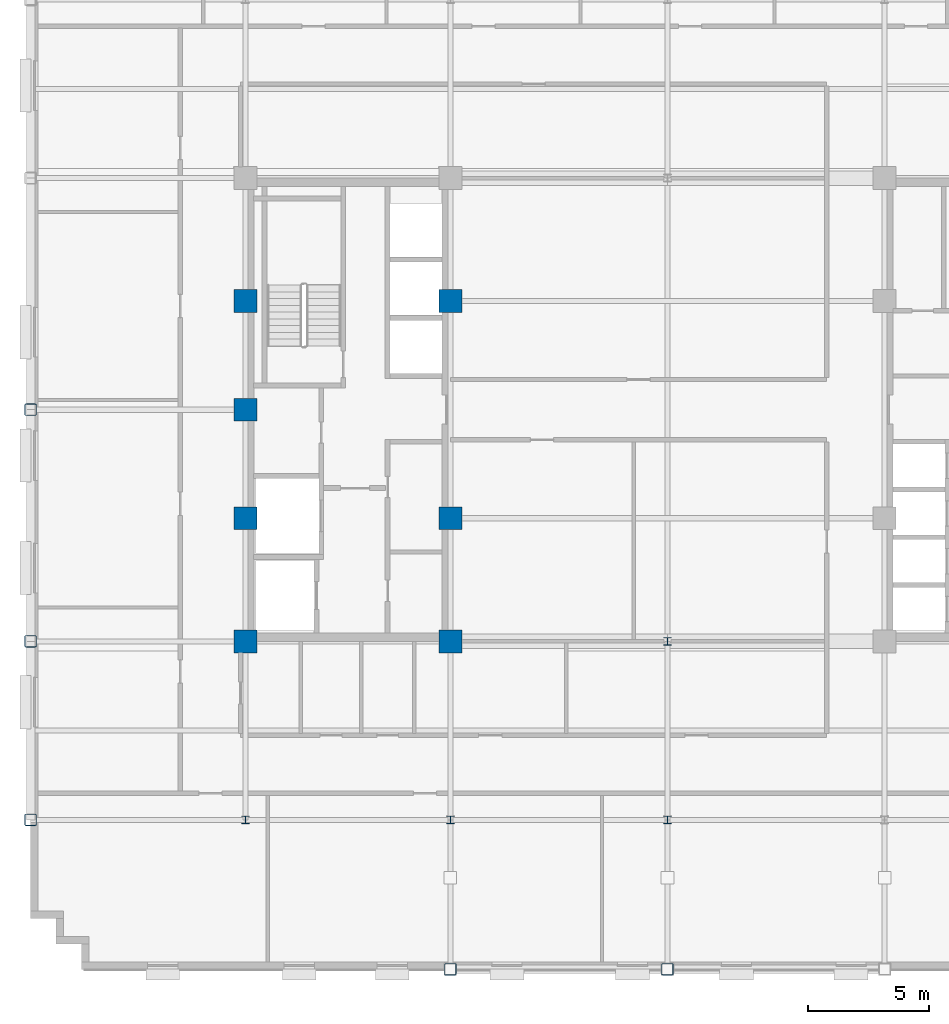
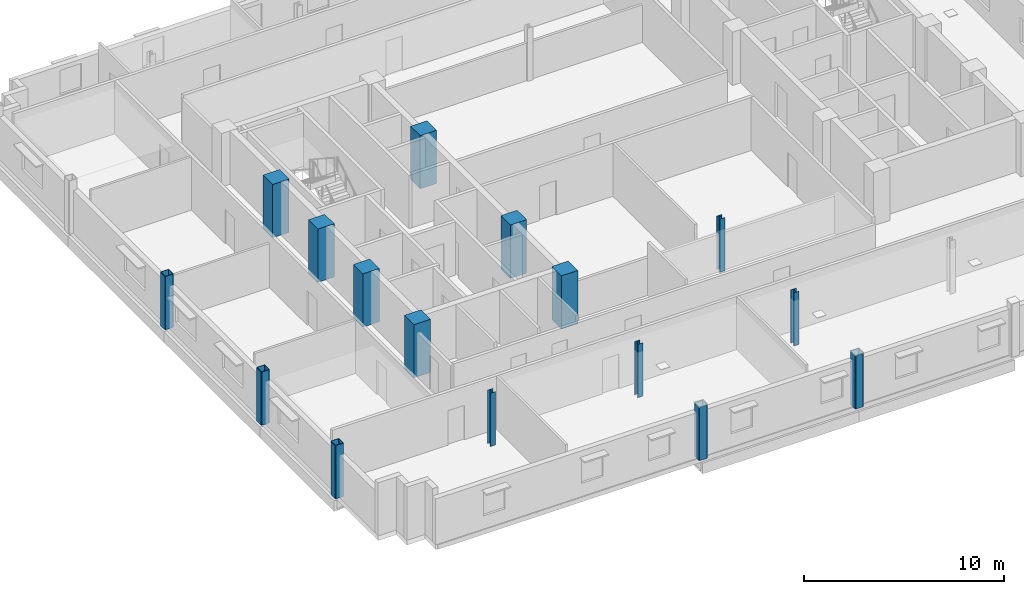
# One storey, part 1 of 15: 16 columns.
"""IFC4 building model written with IfcOpenShell, lengths in metres."""

from ifc_helpers import new_model, si_unit, direction, frame, origin, origin_2d, place, context, subcontext, project, spatial, rectangle, hollow_rectangle, i_section, extrude, material, material_profile, profile_set, type_object, element, save


model = new_model("IFC4")

# Units and contexts
model_context = context("Model", 3, precision=1e-05, world=origin(), true_north=direction((0.0, 1.0)))
body_context = subcontext(model_context, "Body", "Model", "MODEL_VIEW")
ifc_project = project(units=[si_unit("LENGTHUNIT", "METRE"), si_unit("AREAUNIT", "SQUARE_METRE"), si_unit("VOLUMEUNIT", "CUBIC_METRE"), si_unit("PLANEANGLEUNIT", "RADIAN"), si_unit("MASSUNIT", "GRAM", prefix="KILO")], contexts=[model_context])

# Site, building, storey
site_placement = place(None, origin())
site = spatial("IfcSite", under=ifc_project, at=site_placement, CompositionType="ELEMENT")
building_placement = place(site_placement, origin())
building = spatial("IfcBuilding", under=site, at=building_placement, Name="Nuvemarco Arch Tower", CompositionType="ELEMENT")
storey_placement = place(building_placement, frame((0.0, 0.0, 205.5)))
storey = spatial("IfcBuildingStorey", under=building, at=storey_placement, Name="L54", CompositionType="ELEMENT", Elevation=205.5)

# Columns
ifc_material_1 = material(Name="Concrete C50/60", Category="concrete")
ifc_material_profile_1 = material_profile(ifc_material_1, rectangle(XDim=0.949951171875, YDim=0.949951171875, at=origin_2d()), Name="RC-COL-950x950")
ifc_profile_set_1 = profile_set([ifc_material_profile_1], Name="Concrete C50/60")
column_type_1 = type_object("IfcColumnType", Name="COL-CORE-950", PredefinedType="COLUMN", material=ifc_profile_set_1)
for number, where, z_axis, x_axis, name in (
    (1, (-17.5, -9.60009765625, 0.0), (0.0, 0.0, 1.0), (1.0, 0.0, 0.0), "L54 column CC_-17.5_-9.6"),
    (2, (-17.5, -4.5, 0.0), (0.0, 0.0, 1.0), (1.0, 0.0, 0.0), "L54 column CC_-17.5_-4.5"),
    (3, (-17.5, 4.5, 0.0), (0.0, 0.0, 1.0), (1.0, 0.0, 0.0), "L54 column CC_-17.5_+4.5"),
    (4, (-9.0, -9.60009765625, 0.0), (0.0, 0.0, 1.0), (1.0, 0.0, 0.0), "L54 column CC_-9.0_-9.6"),
    (5, (-9.0, -4.5, 0.0), (0.0, 0.0, 1.0), (1.0, 0.0, 0.0), "L54 column CC_-9.0_-4.5"),
    (6, (-9.0, 4.5, 0.0), (0.0, 0.0, 1.0), (1.0, 0.0, 0.0), "L54 column CC_-9.0_+4.5"),
    (7, (-17.5, 0.0, 0.0), (0.0, 0.0, 1.0), (1.0, 0.0, 0.0), "L54 column CC_-17.5_+0.0"),
):
    element("IfcColumn", number, at=place(storey_placement, frame(where, z_axis=z_axis, x_axis=x_axis)), inside=storey, type_object=column_type_1, Name=name, PredefinedType="COLUMN", context=body_context, shape_type="SweptSolid", body=[
        extrude(rectangle(XDim=0.949951171875, YDim=0.949951171875, at=origin_2d()), origin(), (0.0, 0.0, 1.0), 3.25),
    ])
ifc_material_2 = material(Name="Steel S355", Category="steel")
ifc_material_profile_2 = material_profile(ifc_material_2, hollow_rectangle(XDim=0.5, YDim=0.5, WallThickness=0.031982421875, InnerFilletRadius=0.031982421875, OuterFilletRadius=0.06396484375, at=origin_2d()), Name="SHS500x500x32")
ifc_profile_set_2 = profile_set([ifc_material_profile_2], Name="Steel S355")
column_type_2 = type_object("IfcColumnType", Name="COL-EXO-500", PredefinedType="COLUMN", material=ifc_profile_set_2)
for number, where, z_axis, x_axis, name in (
    (8, (-26.39990234375, -17.0, 0.0), (0.0, 0.0, 1.0), (1.0, 0.0, 0.0), "L54 column CX_-26.4_-17.0"),
    (9, (-26.39990234375, -9.60009765625, 0.0), (0.0, 0.0, 1.0), (1.0, 0.0, 0.0), "L54 column CX_-26.4_-9.6"),
    (10, (-26.39990234375, 0.0, 0.0), (0.0, 0.0, 1.0), (1.0, 0.0, 0.0), "L54 column CX_-26.4_+0.0"),
    (11, (-9.0, -23.199951171875, 0.0), (0.0, 0.0, 1.0), (1.0, 0.0, 0.0), "L54 column CY_-9.0_-23.2"),
    (12, (0.0, -23.199951171875, 0.0), (0.0, 0.0, 1.0), (1.0, 0.0, 0.0), "L54 column CY_+0.0_-23.2"),
):
    element("IfcColumn", number, at=place(storey_placement, frame(where, z_axis=z_axis, x_axis=x_axis)), inside=storey, type_object=column_type_2, Name=name, PredefinedType="COLUMN", context=body_context, shape_type="SweptSolid", body=[
        extrude(hollow_rectangle(XDim=0.5, YDim=0.5, WallThickness=0.031982421875, InnerFilletRadius=0.031982421875, OuterFilletRadius=0.06396484375, at=origin_2d()), origin(), (0.0, 0.0, 1.0), 3.25),
    ])
ifc_material_profile_3 = material_profile(ifc_material_2, i_section(OverallWidth=0.31005859375, OverallDepth=0.31005859375, WebThickness=0.015380859375, FlangeThickness=0.015380859375, FilletRadius=0.014892578125, at=origin_2d()), Name="HP310x110")
ifc_profile_set_3 = profile_set([ifc_material_profile_3], Name="Steel S355")
column_type_3 = type_object("IfcColumnType", Name="COL-STL-HP310", PredefinedType="COLUMN", material=ifc_profile_set_3)
for number, where, z_axis, x_axis, name in (
    (13, (0.0, -17.0, 0.0), (0.0, 0.0, 1.0), (1.0, 0.0, 0.0), "L54 column CI_+0.0_-17.0"),
    (14, (0.0, -9.60009765625, 0.0), (0.0, 0.0, 1.0), (1.0, 0.0, 0.0), "L54 column CI_+0.0_-9.6"),
    (15, (-17.5, -17.0, 0.0), (0.0, 0.0, 1.0), (1.0, 0.0, 0.0), "L54 column CI_-17.5_-17.0"),
    (16, (-9.0, -17.0, 0.0), (0.0, 0.0, 1.0), (1.0, 0.0, 0.0), "L54 column CI_-9.0_-17.0"),
):
    element("IfcColumn", number, at=place(storey_placement, frame(where, z_axis=z_axis, x_axis=x_axis)), inside=storey, type_object=column_type_3, Name=name, PredefinedType="COLUMN", context=body_context, shape_type="SweptSolid", body=[
        extrude(i_section(OverallWidth=0.31005859375, OverallDepth=0.31005859375, WebThickness=0.015380859375, FlangeThickness=0.015380859375, FilletRadius=0.014892578125, at=origin_2d()), origin(), (0.0, 0.0, 1.0), 3.25),
    ])

save(model, "model.ifc")
